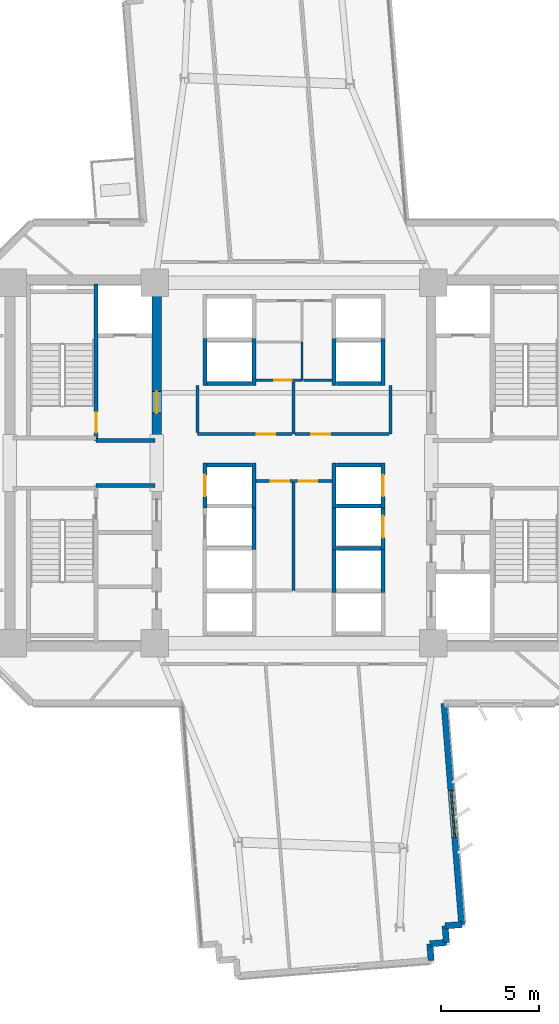
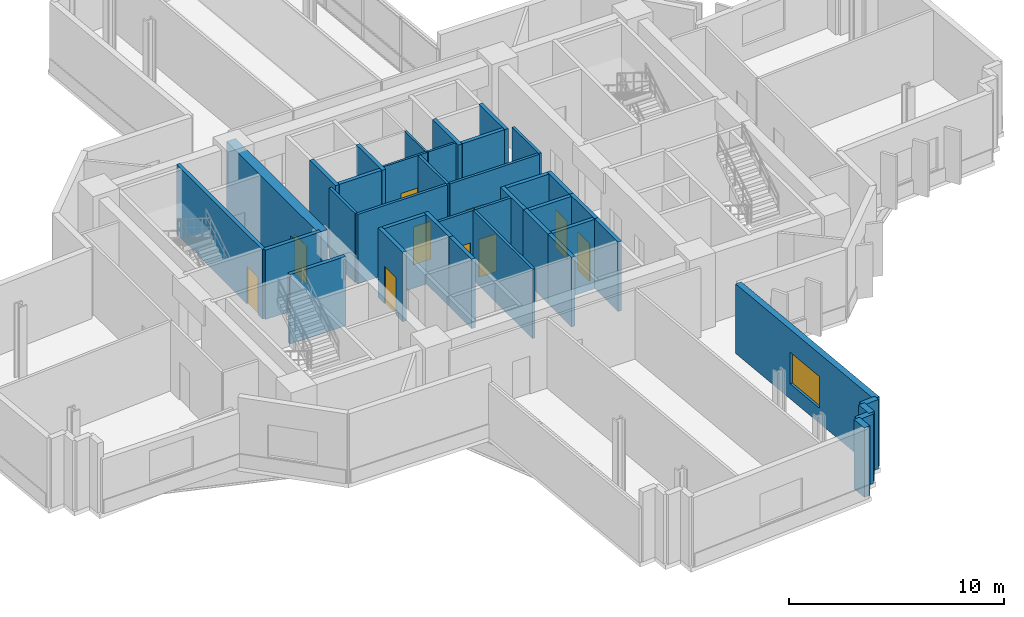
# One storey, part 7 of 15: 39 walls, 10 doors, 1 window, 11 openings.
"""IFC4 building model written with IfcOpenShell, lengths in metres."""

from ifc_helpers import new_model, si_unit, direction, frame, frame_2d, origin, place, context, subcontext, project, spatial, rectangle, extrude, source, transform, mapped, material, layer, layer_set, type_object, element, fill, save


model = new_model("IFC4")

# Units and contexts
model_context = context("Model", 3, precision=1e-05, world=origin(), true_north=direction((0.0, 1.0)))
body_context = subcontext(model_context, "Body", "Model", "MODEL_VIEW")
ifc_project = project(units=[si_unit("LENGTHUNIT", "METRE"), si_unit("AREAUNIT", "SQUARE_METRE"), si_unit("VOLUMEUNIT", "CUBIC_METRE"), si_unit("PLANEANGLEUNIT", "RADIAN"), si_unit("MASSUNIT", "GRAM", prefix="KILO")], contexts=[model_context])

# Site, building, storey
site_placement = place(None, origin())
site = spatial("IfcSite", under=ifc_project, at=site_placement, CompositionType="ELEMENT")
building_placement = place(site_placement, origin())
building = spatial("IfcBuilding", under=site, at=building_placement, Name="Zahravan Cultural Tower", CompositionType="ELEMENT")
storey_placement = place(building_placement, frame((0.0, 0.0, 87.89990234375)))
storey = spatial("IfcBuildingStorey", under=building, at=storey_placement, Name="L19", CompositionType="ELEMENT", Elevation=87.89990234375)

# Wall, opening, door
ifc_material_1 = material(Name="Concrete C60/75", Category="concrete")
ifc_layer_1 = layer(ifc_material_1, 0.5)
ifc_layer_set_1 = layer_set([ifc_layer_1], Name="Concrete C60/75")
wall_type_1 = type_object("IfcWallType", Name="CW-SHEAR-500-C60", PredefinedType="SHEAR", material=ifc_layer_set_1)
wall_1_placement = place(storey_placement, frame((29.0, 28.050048828125, 0.0), z_axis=(0.0, 0.0, 1.0), x_axis=(0.0, 1.0, 0.0)))
wall_1 = element("IfcWall", 1, at=wall_1_placement, inside=storey, type_object=wall_type_1, Name="L19 Core Shear Wall CW-W-EN-L19", PredefinedType="SHEAR", context=body_context, shape_type="SweptSolid", body=[
    extrude(rectangle(XDim=8.550048828125, YDim=0.5, at=frame_2d((4.27490234375, 0.0))), origin(), (0.0, 0.0, 1.0), 3.9501953125),
])
opening_1_placement = place(wall_1_placement, frame((1.5, 0.0, 0.0)))
opening_1 = element("IfcOpeningElement", 2, at=opening_1_placement, cuts=wall_1, Name="Opening D-L19-05", PredefinedType="OPENING", context=body_context, shape_type="SweptSolid", body=[
    extrude(rectangle(XDim=1.10009765625, YDim=2.199951171875, at=frame_2d((0.550048828125, 1.10009765625))), frame((0.0, 0.260009765625, 0.0), z_axis=(0.0, -1.0, 0.0), x_axis=(1.0, 0.0, 0.0)), (0.0, 0.0, 1.0), 0.52001953125),
])
ifc_material_2 = material(Name="Steel ASTM A572 Grade 50", Category="steel")
door_type_1 = type_object("IfcDoorType", Name="DR-LOBBY-1100", OperationType="NOTDEFINED", PredefinedType="DOOR", material=ifc_material_2)
shared_shape_1 = source(origin(), body_context, "Body", "SweptSolid", [
    extrude(rectangle(XDim=1.10009765625, YDim=2.199951171875, at=frame_2d((0.550048828125, 1.10009765625))), frame((0.0, 0.02490234375, 0.0), z_axis=(0.0, -1.0, 0.0), x_axis=(1.0, 0.0, 0.0)), (0.0, 0.0, 1.0), 0.050048828125),
])
door_1_placement = place(opening_1_placement, origin())
door_1 = element("IfcDoor", 3, at=door_1_placement, inside=storey, type_object=door_type_1, Name="L19 Door D-L19-05", OperationType="SINGLE_SWING_LEFT", OverallHeight=2.199951171875, OverallWidth=1.10009765625, PredefinedType="DOOR", context=body_context, shape_type="MappedRepresentation", body=[
    mapped(shared_shape_1, transform((0.0, 0.0, 0.0), x_axis=(1.0, 0.0, 0.0), y_axis=(0.0, 1.0, 0.0), z_axis=(0.0, 0.0, 1.0), scale=1.0)),
])
fill(opening_1, door_1)

# Wall, opening, window
ifc_material_3 = material(Name="Precast concrete C40/50", Category="concrete")
ifc_layer_2 = layer(ifc_material_3, 0.320068359375)
ifc_layer_set_2 = layer_set([ifc_layer_2], Name="Precast concrete C40/50")
wall_type_2 = type_object("IfcWallType", Name="EW-TC-320", PredefinedType="SOLIDWALL", material=ifc_layer_set_2)
wall_2_placement = place(storey_placement, frame((43.658935546875, 14.739990234375, 0.0), z_axis=(0.0, 0.0, 1.0), x_axis=(0.079512268319, -0.996833887459, 0.0)))
wall_2 = element("IfcWall", 4, at=wall_2_placement, inside=storey, type_object=wall_type_2, Name="L19 Exterior Masonry Frame Wall 15", PredefinedType="SOLIDWALL", context=body_context, shape_type="SweptSolid", body=[
    extrude(rectangle(XDim=11.330078125, YDim=0.320068359375, at=frame_2d((5.6650390625, 0.0))), origin(), (0.0, 0.0, 1.0), 3.9501953125),
])
opening_2_placement = place(wall_2_placement, frame((4.465087890625, 0.0, 0.85009765625)))
opening_2 = element("IfcOpeningElement", 5, at=opening_2_placement, cuts=wall_2, Name="Opening WN-01", PredefinedType="OPENING", context=body_context, shape_type="SweptSolid", body=[
    extrude(rectangle(XDim=2.39990234375, YDim=1.800048828125, at=frame_2d((1.199951171875, 0.89990234375))), frame((0.0, 0.169921875, 0.0), z_axis=(0.0, -1.0, 0.0), x_axis=(1.0, 0.0, 0.0)), (0.0, 0.0, 1.0), 0.340087890625),
])
ifc_material_4 = material(Name="Low-E solar-control double glazing", Category="glass")
window_type = type_object("IfcWindowType", Name="WN-REC-2400X1800", PartitioningType="DOUBLE_PANEL_VERTICAL", PredefinedType="WINDOW", material=ifc_material_4)
shared_shape_2 = source(origin(), body_context, "Body", "SweptSolid", [
    extrude(rectangle(XDim=2.39990234375, YDim=1.800048828125, at=frame_2d((1.199951171875, 0.89990234375))), frame((0.0, 0.030029296875, 0.0), z_axis=(0.0, -1.0, 0.0), x_axis=(1.0, 0.0, 0.0)), (0.0, 0.0, 1.0), 0.06005859375),
])
window_placement = place(opening_2_placement, origin())
window = element("IfcWindow", 6, at=window_placement, inside=storey, type_object=window_type, Name="L19 Recessed Solar Window 05", OverallHeight=1.800048828125, OverallWidth=2.39990234375, PartitioningType="DOUBLE_PANEL_VERTICAL", PredefinedType="WINDOW", context=body_context, shape_type="MappedRepresentation", body=[
    mapped(shared_shape_2, transform((0.0, 0.0, 0.0), x_axis=(1.0, 0.0, 0.0), y_axis=(0.0, 1.0, 0.0), z_axis=(0.0, 0.0, 1.0), scale=1.0)),
])
fill(opening_2, window)

# Wall, opening, door
ifc_material_5 = material(Name="Gypsum plasterboard partition")
ifc_layer_3 = layer(ifc_material_5, 0.139892578125)
ifc_layer_set_3 = layer_set([ifc_layer_3], Name="Gypsum plasterboard partition")
wall_type_3 = type_object("IfcWallType", Name="W-PART-140", PredefinedType="PARTITIONING", material=ifc_layer_set_3)
wall_3_placement = place(storey_placement, frame((34.054931640625, 26.080078125, 0.0), z_axis=(0.0, 0.0, 1.0), x_axis=(1.0, 0.0, 0.0)))
wall_3 = element("IfcWall", 7, at=wall_3_placement, inside=storey, type_object=wall_type_3, Name="L19 Interior Wall 075", PredefinedType="PARTITIONING", context=body_context, shape_type="SweptSolid", body=[
    extrude(rectangle(XDim=1.9150390625, YDim=0.139892578125, at=frame_2d((0.95751953125, 0.0))), origin(), (0.0, 0.0, 1.0), 3.9501953125),
])
opening_3_placement = place(wall_3_placement, frame((0.752685546875, 0.0, 0.0)))
opening_3 = element("IfcOpeningElement", 8, at=opening_3_placement, cuts=wall_3, Name="Opening D-L19-15", PredefinedType="OPENING", context=body_context, shape_type="SweptSolid", body=[
    extrude(rectangle(XDim=0.949951171875, YDim=2.14990234375, at=frame_2d((0.47509765625, 1.074951171875))), frame((0.0, 0.079833984375, 0.0), z_axis=(0.0, -1.0, 0.0), x_axis=(1.0, 0.0, 0.0)), (0.0, 0.0, 1.0), 0.159912109375),
])
ifc_material_6 = material(Name="Anodised bronze-aluminium mullion", Category="aluminium")
door_type_2 = type_object("IfcDoorType", Name="DR-ROOM-950", OperationType="NOTDEFINED", PredefinedType="DOOR", material=ifc_material_6)
shared_shape_3 = source(origin(), body_context, "Body", "SweptSolid", [
    extrude(rectangle(XDim=0.949951171875, YDim=2.14990234375, at=frame_2d((0.47509765625, 1.074951171875))), frame((0.0, 0.02490234375, 0.0), z_axis=(0.0, -1.0, 0.0), x_axis=(1.0, 0.0, 0.0)), (0.0, 0.0, 1.0), 0.050048828125),
])
door_2_placement = place(opening_3_placement, origin())
door_2 = element("IfcDoor", 9, at=door_2_placement, inside=storey, type_object=door_type_2, Name="L19 Door D-L19-15", OperationType="SINGLE_SWING_LEFT", OverallHeight=2.14990234375, OverallWidth=0.949951171875, PredefinedType="DOOR", context=body_context, shape_type="MappedRepresentation", body=[
    mapped(shared_shape_3, transform((0.0, 0.0, 0.0), x_axis=(1.0, 0.0, 0.0), y_axis=(0.0, 1.0, 0.0), z_axis=(0.0, 0.0, 1.0), scale=1.0)),
])
fill(opening_3, door_2)

wall_4_placement = place(storey_placement, frame((36.030029296875, 26.080078125, 0.0), z_axis=(0.0, 0.0, 1.0), x_axis=(1.0, 0.0, 0.0)))
wall_4 = element("IfcWall", 10, at=wall_4_placement, inside=storey, type_object=wall_type_3, Name="L19 Interior Wall 078", PredefinedType="PARTITIONING", context=body_context, shape_type="SweptSolid", body=[
    extrude(rectangle(XDim=1.9150390625, YDim=0.139892578125, at=frame_2d((0.95751953125, 0.0))), origin(), (0.0, 0.0, 1.0), 3.9501953125),
])
opening_4_placement = place(wall_4_placement, frame((0.21240234375, 0.0, 0.0)))
opening_4 = element("IfcOpeningElement", 11, at=opening_4_placement, cuts=wall_4, Name="Opening D-L19-16", PredefinedType="OPENING", context=body_context, shape_type="SweptSolid", body=[
    extrude(rectangle(XDim=0.949951171875, YDim=2.14990234375, at=frame_2d((0.47509765625, 1.074951171875))), frame((0.0, 0.079833984375, 0.0), z_axis=(0.0, -1.0, 0.0), x_axis=(1.0, 0.0, 0.0)), (0.0, 0.0, 1.0), 0.159912109375),
])
door_3_placement = place(opening_4_placement, origin())
door_3 = element("IfcDoor", 12, at=door_3_placement, inside=storey, type_object=door_type_2, Name="L19 Door D-L19-16", OperationType="SINGLE_SWING_RIGHT", OverallHeight=2.14990234375, OverallWidth=0.949951171875, PredefinedType="DOOR", context=body_context, shape_type="MappedRepresentation", body=[
    mapped(shared_shape_3, transform((0.0, 0.0, 0.0), x_axis=(1.0, 0.0, 0.0), y_axis=(0.0, 1.0, 0.0), z_axis=(0.0, 0.0, 1.0), scale=1.0)),
])
fill(opening_4, door_3)

wall_5_placement = place(storey_placement, frame((35.89501953125, 28.47998046875, 0.0), z_axis=(0.0, 0.0, 1.0), x_axis=(-1.0, 0.0, 0.0)))
wall_5 = element("IfcWall", 13, at=wall_5_placement, inside=storey, type_object=wall_type_3, Name="L19 Interior Wall 081", PredefinedType="PARTITIONING", context=body_context, shape_type="SweptSolid", body=[
    extrude(rectangle(XDim=4.81494140625, YDim=0.139892578125, at=frame_2d((2.407470703125, 0.0))), origin(), (0.0, 0.0, 1.0), 3.9501953125),
])
opening_5_placement = place(wall_5_placement, frame((0.850341796875, 0.0, 0.0)))
opening_5 = element("IfcOpeningElement", 14, at=opening_5_placement, cuts=wall_5, Name="Opening D-L19-17", PredefinedType="OPENING", context=body_context, shape_type="SweptSolid", body=[
    extrude(rectangle(XDim=0.949951171875, YDim=2.14990234375, at=frame_2d((0.47509765625, 1.074951171875))), frame((0.0, 0.079833984375, 0.0), z_axis=(0.0, -1.0, 0.0), x_axis=(1.0, 0.0, 0.0)), (0.0, 0.0, 1.0), 0.159912109375),
])
door_4_placement = place(opening_5_placement, origin())
door_4 = element("IfcDoor", 15, at=door_4_placement, inside=storey, type_object=door_type_2, Name="L19 Door D-L19-17", OperationType="SINGLE_SWING_LEFT", OverallHeight=2.14990234375, OverallWidth=0.949951171875, PredefinedType="DOOR", context=body_context, shape_type="MappedRepresentation", body=[
    mapped(shared_shape_3, transform((0.0, 0.0, 0.0), x_axis=(1.0, 0.0, 0.0), y_axis=(0.0, 1.0, 0.0), z_axis=(0.0, 0.0, 1.0), scale=1.0)),
])
fill(opening_5, door_4)

wall_6_placement = place(storey_placement, frame((40.844970703125, 28.47998046875, 0.0), z_axis=(0.0, 0.0, 1.0), x_axis=(-1.0, 0.0, 0.0)))
wall_6 = element("IfcWall", 16, at=wall_6_placement, inside=storey, type_object=wall_type_3, Name="L19 Interior Wall 084", PredefinedType="PARTITIONING", context=body_context, shape_type="SweptSolid", body=[
    extrude(rectangle(XDim=4.800048828125, YDim=0.139892578125, at=frame_2d((2.39990234375, 0.0))), origin(), (0.0, 0.0, 1.0), 3.9501953125),
])
opening_6_placement = place(wall_6_placement, frame((3.0029296875, 0.0, 0.0)))
opening_6 = element("IfcOpeningElement", 17, at=opening_6_placement, cuts=wall_6, Name="Opening D-L19-18", PredefinedType="OPENING", context=body_context, shape_type="SweptSolid", body=[
    extrude(rectangle(XDim=0.949951171875, YDim=2.14990234375, at=frame_2d((0.47509765625, 1.074951171875))), frame((0.0, 0.079833984375, 0.0), z_axis=(0.0, -1.0, 0.0), x_axis=(1.0, 0.0, 0.0)), (0.0, 0.0, 1.0), 0.159912109375),
])
door_5_placement = place(opening_6_placement, origin())
door_5 = element("IfcDoor", 18, at=door_5_placement, inside=storey, type_object=door_type_2, Name="L19 Door D-L19-18", OperationType="SINGLE_SWING_RIGHT", OverallHeight=2.14990234375, OverallWidth=0.949951171875, PredefinedType="DOOR", context=body_context, shape_type="MappedRepresentation", body=[
    mapped(shared_shape_3, transform((0.0, 0.0, 0.0), x_axis=(1.0, 0.0, 0.0), y_axis=(0.0, 1.0, 0.0), z_axis=(0.0, 0.0, 1.0), scale=1.0)),
])
fill(opening_6, door_5)

ifc_material_7 = material(Name="Concrete C45/55", Category="concrete")
ifc_layer_4 = layer(ifc_material_7, 0.199951171875)
ifc_layer_set_4 = layer_set([ifc_layer_4], Name="Concrete C45/55")
wall_type_4 = type_object("IfcWallType", Name="W-SHAFT-200", PredefinedType="SOLIDWALL", material=ifc_layer_set_4)
wall_7_placement = place(storey_placement, frame((25.89990234375, 28.14990234375, 0.0), z_axis=(0.0, 0.0, 1.0), x_axis=(0.0, 1.0, 0.0)))
wall_7 = element("IfcWall", 19, at=wall_7_placement, inside=storey, type_object=wall_type_4, Name="L19 Interior Wall 006", PredefinedType="SOLIDWALL", context=body_context, shape_type="SweptSolid", body=[
    extrude(rectangle(XDim=8.0, YDim=0.199951171875, at=frame_2d((4.0, 0.0))), origin(), (0.0, 0.0, 1.0), 3.9501953125),
])
opening_7_placement = place(wall_7_placement, frame((0.39990234375, 0.0, 0.0)))
opening_7 = element("IfcOpeningElement", 20, at=opening_7_placement, cuts=wall_7, Name="Opening D-L19-01", PredefinedType="OPENING", context=body_context, shape_type="SweptSolid", body=[
    extrude(rectangle(XDim=1.050048828125, YDim=2.14990234375, at=frame_2d((0.52490234375, 1.074951171875))), frame((0.0, 0.10986328125, 0.0), z_axis=(0.0, -1.0, 0.0), x_axis=(1.0, 0.0, 0.0)), (0.0, 0.0, 1.0), 0.219970703125),
])
door_type_3 = type_object("IfcDoorType", Name="DR-STAIR-1050", OperationType="NOTDEFINED", PredefinedType="DOOR", material=ifc_material_2)
shared_shape_4 = source(origin(), body_context, "Body", "SweptSolid", [
    extrude(rectangle(XDim=1.050048828125, YDim=2.14990234375, at=frame_2d((0.52490234375, 1.074951171875))), frame((0.0, 0.02490234375, 0.0), z_axis=(0.0, -1.0, 0.0), x_axis=(1.0, 0.0, 0.0)), (0.0, 0.0, 1.0), 0.050048828125),
])
door_6_placement = place(opening_7_placement, origin())
door_6 = element("IfcDoor", 21, at=door_6_placement, inside=storey, type_object=door_type_3, Name="L19 Door D-L19-01", OperationType="SINGLE_SWING_LEFT", OverallHeight=2.14990234375, OverallWidth=1.050048828125, PredefinedType="DOOR", context=body_context, shape_type="MappedRepresentation", body=[
    mapped(shared_shape_4, transform((0.0, 0.0, 0.0), x_axis=(1.0, 0.0, 0.0), y_axis=(0.0, 1.0, 0.0), z_axis=(0.0, 0.0, 1.0), scale=1.0)),
])
fill(opening_7, door_6)

wall_8_placement = place(storey_placement, frame((31.449951171875, 24.699951171875, 0.0), z_axis=(0.0, 0.0, 1.0), x_axis=(0.0, 1.0, 0.0)))
wall_8 = element("IfcWall", 22, at=wall_8_placement, inside=storey, type_object=wall_type_4, Name="L19 Interior Wall 056", PredefinedType="SOLIDWALL", context=body_context, shape_type="SweptSolid", body=[
    extrude(rectangle(XDim=2.300048828125, YDim=0.199951171875, at=frame_2d((1.14990234375, 0.0))), origin(), (0.0, 0.0, 1.0), 3.9501953125),
])
opening_8_placement = place(wall_8_placement, frame((0.60009765625, 0.0, 0.0)))
opening_8 = element("IfcOpeningElement", 23, at=opening_8_placement, cuts=wall_8, Name="Opening LD-L19-04", PredefinedType="OPENING", context=body_context, shape_type="SweptSolid", body=[
    extrude(rectangle(XDim=1.10009765625, YDim=2.14990234375, at=frame_2d((0.550048828125, 1.074951171875))), frame((0.0, 0.10986328125, 0.0), z_axis=(0.0, -1.0, 0.0), x_axis=(1.0, 0.0, 0.0)), (0.0, 0.0, 1.0), 0.219970703125),
])
door_type_4 = type_object("IfcDoorType", Name="DR-LIFT-1100", OperationType="DOUBLE_DOOR_SLIDING", PredefinedType="DOOR", material=ifc_material_2)
shared_shape_5 = source(origin(), body_context, "Body", "SweptSolid", [
    extrude(rectangle(XDim=1.10009765625, YDim=2.14990234375, at=frame_2d((0.550048828125, 1.074951171875))), frame((0.0, 0.02490234375, 0.0), z_axis=(0.0, -1.0, 0.0), x_axis=(1.0, 0.0, 0.0)), (0.0, 0.0, 1.0), 0.050048828125),
])
door_7_placement = place(opening_8_placement, origin())
door_7 = element("IfcDoor", 24, at=door_7_placement, inside=storey, type_object=door_type_4, Name="L19 Door LD-L19-04", OperationType="DOUBLE_DOOR_SLIDING", OverallHeight=2.14990234375, OverallWidth=1.10009765625, PredefinedType="DOOR", context=body_context, shape_type="MappedRepresentation", body=[
    mapped(shared_shape_5, transform((0.0, 0.0, 0.0), x_axis=(1.0, 0.0, 0.0), y_axis=(0.0, 1.0, 0.0), z_axis=(0.0, 0.0, 1.0), scale=1.0)),
])
fill(opening_8, door_7)

wall_9_placement = place(storey_placement, frame((40.550048828125, 24.699951171875, 0.0), z_axis=(0.0, 0.0, 1.0), x_axis=(0.0, 1.0, 0.0)))
wall_9 = element("IfcWall", 25, at=wall_9_placement, inside=storey, type_object=wall_type_4, Name="L19 Interior Wall 063", PredefinedType="SOLIDWALL", context=body_context, shape_type="SweptSolid", body=[
    extrude(rectangle(XDim=2.300048828125, YDim=0.199951171875, at=frame_2d((1.14990234375, 0.0))), origin(), (0.0, 0.0, 1.0), 3.9501953125),
])
opening_9_placement = place(wall_9_placement, frame((0.60009765625, 0.0, 0.0)))
opening_9 = element("IfcOpeningElement", 26, at=opening_9_placement, cuts=wall_9, Name="Opening LD-L19-06", PredefinedType="OPENING", context=body_context, shape_type="SweptSolid", body=[
    extrude(rectangle(XDim=1.10009765625, YDim=2.14990234375, at=frame_2d((0.550048828125, 1.074951171875))), frame((0.0, 0.10986328125, 0.0), z_axis=(0.0, -1.0, 0.0), x_axis=(1.0, 0.0, 0.0)), (0.0, 0.0, 1.0), 0.219970703125),
])
door_8_placement = place(opening_9_placement, origin())
door_8 = element("IfcDoor", 27, at=door_8_placement, inside=storey, type_object=door_type_4, Name="L19 Door LD-L19-06", OperationType="DOUBLE_DOOR_SLIDING", OverallHeight=2.14990234375, OverallWidth=1.10009765625, PredefinedType="DOOR", context=body_context, shape_type="MappedRepresentation", body=[
    mapped(shared_shape_5, transform((0.0, 0.0, 0.0), x_axis=(1.0, 0.0, 0.0), y_axis=(0.0, 1.0, 0.0), z_axis=(0.0, 0.0, 1.0), scale=1.0)),
])
fill(opening_9, door_8)

wall_10_placement = place(storey_placement, frame((40.550048828125, 22.60009765625, 0.0), z_axis=(0.0, 0.0, 1.0), x_axis=(0.0, 1.0, 0.0)))
wall_10 = element("IfcWall", 28, at=wall_10_placement, inside=storey, type_object=wall_type_4, Name="L19 Interior Wall 067", PredefinedType="SOLIDWALL", context=body_context, shape_type="SweptSolid", body=[
    extrude(rectangle(XDim=2.2998046875, YDim=0.199951171875, at=frame_2d((1.14990234375, 0.0))), origin(), (0.0, 0.0, 1.0), 3.9501953125),
])
opening_10_placement = place(wall_10_placement, frame((0.60009765625, 0.0, 0.0)))
opening_10 = element("IfcOpeningElement", 29, at=opening_10_placement, cuts=wall_10, Name="Opening LD-L19-07", PredefinedType="OPENING", context=body_context, shape_type="SweptSolid", body=[
    extrude(rectangle(XDim=1.10009765625, YDim=2.14990234375, at=frame_2d((0.550048828125, 1.074951171875))), frame((0.0, 0.10986328125, 0.0), z_axis=(0.0, -1.0, 0.0), x_axis=(1.0, 0.0, 0.0)), (0.0, 0.0, 1.0), 0.219970703125),
])
door_9_placement = place(opening_10_placement, origin())
door_9 = element("IfcDoor", 30, at=door_9_placement, inside=storey, type_object=door_type_4, Name="L19 Door LD-L19-07", OperationType="DOUBLE_DOOR_SLIDING", OverallHeight=2.14990234375, OverallWidth=1.10009765625, PredefinedType="DOOR", context=body_context, shape_type="MappedRepresentation", body=[
    mapped(shared_shape_5, transform((0.0, 0.0, 0.0), x_axis=(1.0, 0.0, 0.0), y_axis=(0.0, 1.0, 0.0), z_axis=(0.0, 0.0, 1.0), scale=1.0)),
])
fill(opening_10, door_9)

ifc_layer_5 = layer(ifc_material_5, 0.114990234375)
ifc_layer_set_5 = layer_set([ifc_layer_5], Name="Gypsum plasterboard partition")
wall_type_5 = type_object("IfcWallType", Name="W-WC-115", PredefinedType="PARTITIONING", material=ifc_layer_set_5)
wall_11_placement = place(storey_placement, frame((36.409912109375, 31.219970703125, 0.0), z_axis=(0.0, 0.0, 1.0), x_axis=(-1.0, 0.0, 0.0)))
wall_11 = element("IfcWall", 31, at=wall_11_placement, inside=storey, type_object=wall_type_5, Name="L19 Interior Wall 068", PredefinedType="PARTITIONING", context=body_context, shape_type="SweptSolid", body=[
    extrude(rectangle(XDim=2.35498046875, YDim=0.114990234375, at=frame_2d((1.177490234375, 0.0))), origin(), (0.0, 0.0, 1.0), 3.9501953125),
])
opening_11_placement = place(wall_11_placement, frame((0.5166015625, 0.0, 0.0)))
opening_11 = element("IfcOpeningElement", 32, at=opening_11_placement, cuts=wall_11, Name="Opening D-L19-29", PredefinedType="OPENING", context=body_context, shape_type="SweptSolid", body=[
    extrude(rectangle(XDim=0.89990234375, YDim=2.10009765625, at=frame_2d((0.449951171875, 1.050048828125))), frame((0.0, 0.0673828125, 0.0), z_axis=(0.0, -1.0, 0.0), x_axis=(1.0, 0.0, 0.0)), (0.0, 0.0, 1.0), 0.135009765625),
])
door_type_5 = type_object("IfcDoorType", Name="DR-WC-900", OperationType="NOTDEFINED", PredefinedType="DOOR", material=ifc_material_6)
shared_shape_6 = source(origin(), body_context, "Body", "SweptSolid", [
    extrude(rectangle(XDim=0.89990234375, YDim=2.10009765625, at=frame_2d((0.449951171875, 1.050048828125))), frame((0.0, 0.02490234375, 0.0), z_axis=(0.0, -1.0, 0.0), x_axis=(1.0, 0.0, 0.0)), (0.0, 0.0, 1.0), 0.050048828125),
])
door_10_placement = place(opening_11_placement, origin())
door_10 = element("IfcDoor", 33, at=door_10_placement, inside=storey, type_object=door_type_5, Name="L19 Door D-L19-29", OperationType="SINGLE_SWING_LEFT", OverallHeight=2.10009765625, OverallWidth=0.89990234375, PredefinedType="DOOR", context=body_context, shape_type="MappedRepresentation", body=[
    mapped(shared_shape_6, transform((0.0, 0.0, 0.0), x_axis=(1.0, 0.0, 0.0), y_axis=(0.0, 1.0, 0.0), z_axis=(0.0, 0.0, 1.0), scale=1.0)),
])
fill(opening_11, door_10)

# Walls
shared_shape_7 = source(origin(), body_context, "Body", "SweptSolid", [
    extrude(rectangle(XDim=0.85009765625, YDim=0.320068359375, at=frame_2d((0.425048828125, 0.0))), origin(), (0.0, 0.0, 1.0), 3.9501953125),
])
for number, where, z_axis, x_axis, name in (
    (34, (44.559814453125, 3.44580078125, 0.0), (0.0, 0.0, 1.0), (-0.99685351678, -0.079265793901, 0.0), "L19 Exterior Masonry Frame Wall 16"),
    (35, (43.71240234375, 3.37841796875, 0.0), (0.0, 0.0, 1.0), (0.079551174585, -0.996830783344, 0.0), "L19 Exterior Masonry Frame Wall 17"),
    (36, (43.780029296875, 2.531005859375, 0.0), (0.0, 0.0, 1.0), (-0.996830783344, -0.079551174585, 0.0), "L19 Exterior Masonry Frame Wall 18"),
):
    element("IfcWall", number, at=place(storey_placement, frame(where, z_axis=z_axis, x_axis=x_axis)), inside=storey, type_object=wall_type_2, Name=name, PredefinedType="SOLIDWALL", context=body_context, shape_type="MappedRepresentation", body=[
        mapped(shared_shape_7, transform((0.0, 0.0, 0.0), x_axis=(1.0, 0.0, 0.0), y_axis=(0.0, 1.0, 0.0), z_axis=(0.0, 0.0, 1.0), scale=1.0)),
    ])
shared_shape_8 = source(origin(), body_context, "Body", "SweptSolid", [
    extrude(rectangle(XDim=0.849853515625, YDim=0.320068359375, at=frame_2d((0.4248046875, 0.0))), origin(), (0.0, 0.0, 1.0), 3.9501953125),
])
wall_12_placement = place(storey_placement, frame((42.9326171875, 2.46337890625, 0.0), z_axis=(0.0, 0.0, 1.0), x_axis=(0.079573954853, -0.996828965123, 0.0)))
element("IfcWall", 37, at=wall_12_placement, inside=storey, type_object=wall_type_2, Name="L19 Exterior Masonry Frame Wall 19", PredefinedType="SOLIDWALL", context=body_context, shape_type="MappedRepresentation", body=[
    mapped(shared_shape_8, transform((0.0, 0.0, 0.0), x_axis=(1.0, 0.0, 0.0), y_axis=(0.0, 1.0, 0.0), z_axis=(0.0, 0.0, 1.0), scale=1.0)),
])
shared_shape_9 = source(origin(), body_context, "Body", "SweptSolid", [
    extrude(rectangle(XDim=3.0, YDim=0.199951171875, at=frame_2d((1.5, 0.0))), origin(), (0.0, 0.0, 1.0), 3.9501953125),
])
for number, where, z_axis, x_axis, name in (
    (38, (25.89990234375, 25.85009765625, 0.0), (0.0, 0.0, 1.0), (1.0, 0.0, 0.0), "L19 Interior Wall 010"),
    (39, (25.89990234375, 28.14990234375, 0.0), (0.0, 0.0, 1.0), (1.0, 0.0, 0.0), "L19 Interior Wall 012"),
):
    element("IfcWall", number, at=place(storey_placement, frame(where, z_axis=z_axis, x_axis=x_axis)), inside=storey, type_object=wall_type_4, Name=name, PredefinedType="SOLIDWALL", context=body_context, shape_type="MappedRepresentation", body=[
        mapped(shared_shape_9, transform((0.0, 0.0, 0.0), x_axis=(1.0, 0.0, 0.0), y_axis=(0.0, 1.0, 0.0), z_axis=(0.0, 0.0, 1.0), scale=1.0)),
    ])
shared_shape_10 = source(origin(), body_context, "Body", "SweptSolid", [
    extrude(rectangle(XDim=2.400146484375, YDim=0.199951171875, at=frame_2d((1.2001953125, 0.0))), origin(), (0.0, 0.0, 1.0), 3.9501953125),
])
for number, where, z_axis, x_axis, name in (
    (40, (31.449951171875, 30.949951171875, 0.0), (0.0, 0.0, 1.0), (0.0, 1.0, 0.0), "L19 Interior Wall 032"),
    (41, (33.949951171875, 30.949951171875, 0.0), (0.0, 0.0, 1.0), (0.0, 1.0, 0.0), "L19 Interior Wall 033"),
    (42, (38.050048828125, 30.949951171875, 0.0), (0.0, 0.0, 1.0), (0.0, 1.0, 0.0), "L19 Interior Wall 039"),
    (43, (40.550048828125, 30.949951171875, 0.0), (0.0, 0.0, 1.0), (0.0, 1.0, 0.0), "L19 Interior Wall 040"),
):
    element("IfcWall", number, at=place(storey_placement, frame(where, z_axis=z_axis, x_axis=x_axis)), inside=storey, type_object=wall_type_4, Name=name, PredefinedType="SOLIDWALL", context=body_context, shape_type="MappedRepresentation", body=[
        mapped(shared_shape_10, transform((0.0, 0.0, 0.0), x_axis=(1.0, 0.0, 0.0), y_axis=(0.0, 1.0, 0.0), z_axis=(0.0, 0.0, 1.0), scale=1.0)),
    ])
shared_shape_11 = source(origin(), body_context, "Body", "SweptSolid", [
    extrude(rectangle(XDim=2.260009765625, YDim=0.199951171875, at=frame_2d((1.1298828125, 0.0))), origin(), (0.0, 0.0, 1.0), 3.9501953125),
])
for number, where, z_axis, x_axis, name in (
    (44, (31.570068359375, 31.050048828125, 0.0), (0.0, 0.0, 1.0), (1.0, 0.0, 0.0), "L19 Interior Wall 034"),
    (45, (38.169921875, 31.050048828125, 0.0), (0.0, 0.0, 1.0), (1.0, 0.0, 0.0), "L19 Interior Wall 041"),
    (46, (38.169921875, 22.64990234375, 0.0), (0.0, 0.0, 1.0), (1.0, 0.0, 0.0), "L19 Interior Wall 052"),
    (47, (31.570068359375, 26.89990234375, 0.0), (0.0, 0.0, 1.0), (1.0, 0.0, 0.0), "L19 Interior Wall 059"),
    (48, (38.169921875, 24.800048828125, 0.0), (0.0, 0.0, 1.0), (1.0, 0.0, 0.0), "L19 Interior Wall 064"),
    (49, (38.169921875, 26.89990234375, 0.0), (0.0, 0.0, 1.0), (1.0, 0.0, 0.0), "L19 Interior Wall 065"),
):
    element("IfcWall", number, at=place(storey_placement, frame(where, z_axis=z_axis, x_axis=x_axis)), inside=storey, type_object=wall_type_4, Name=name, PredefinedType="SOLIDWALL", context=body_context, shape_type="MappedRepresentation", body=[
        mapped(shared_shape_11, transform((0.0, 0.0, 0.0), x_axis=(1.0, 0.0, 0.0), y_axis=(0.0, 1.0, 0.0), z_axis=(0.0, 0.0, 1.0), scale=1.0)),
    ])
shared_shape_12 = source(origin(), body_context, "Body", "SweptSolid", [
    extrude(rectangle(XDim=2.35009765625, YDim=0.199951171875, at=frame_2d((1.175048828125, 0.0))), origin(), (0.0, 0.0, 1.0), 3.9501953125),
])
for number, where, z_axis, x_axis, name in (
    (50, (38.050048828125, 20.39990234375, 0.0), (0.0, 0.0, 1.0), (0.0, 1.0, 0.0), "L19 Interior Wall 049"),
    (51, (40.550048828125, 20.39990234375, 0.0), (0.0, 0.0, 1.0), (0.0, 1.0, 0.0), "L19 Interior Wall 050"),
):
    element("IfcWall", number, at=place(storey_placement, frame(where, z_axis=z_axis, x_axis=x_axis)), inside=storey, type_object=wall_type_4, Name=name, PredefinedType="SOLIDWALL", context=body_context, shape_type="MappedRepresentation", body=[
        mapped(shared_shape_12, transform((0.0, 0.0, 0.0), x_axis=(1.0, 0.0, 0.0), y_axis=(0.0, 1.0, 0.0), z_axis=(0.0, 0.0, 1.0), scale=1.0)),
    ])
shared_shape_13 = source(origin(), body_context, "Body", "SweptSolid", [
    extrude(rectangle(XDim=2.300048828125, YDim=0.199951171875, at=frame_2d((1.14990234375, 0.0))), origin(), (0.0, 0.0, 1.0), 3.9501953125),
])
for number, where, z_axis, x_axis, name in (
    (52, (33.949951171875, 24.699951171875, 0.0), (0.0, 0.0, 1.0), (0.0, 1.0, 0.0), "L19 Interior Wall 057"),
    (53, (38.050048828125, 24.699951171875, 0.0), (0.0, 0.0, 1.0), (0.0, 1.0, 0.0), "L19 Interior Wall 062"),
):
    element("IfcWall", number, at=place(storey_placement, frame(where, z_axis=z_axis, x_axis=x_axis)), inside=storey, type_object=wall_type_4, Name=name, PredefinedType="SOLIDWALL", context=body_context, shape_type="MappedRepresentation", body=[
        mapped(shared_shape_13, transform((0.0, 0.0, 0.0), x_axis=(1.0, 0.0, 0.0), y_axis=(0.0, 1.0, 0.0), z_axis=(0.0, 0.0, 1.0), scale=1.0)),
    ])
shared_shape_14 = source(origin(), body_context, "Body", "SweptSolid", [
    extrude(rectangle(XDim=2.2998046875, YDim=0.199951171875, at=frame_2d((1.14990234375, 0.0))), origin(), (0.0, 0.0, 1.0), 3.9501953125),
])
for number, where, z_axis, x_axis, name in (
    (54, (33.949951171875, 22.60009765625, 0.0), (0.0, 0.0, 1.0), (0.0, 1.0, 0.0), "L19 Interior Wall 061"),
    (55, (38.050048828125, 22.60009765625, 0.0), (0.0, 0.0, 1.0), (0.0, 1.0, 0.0), "L19 Interior Wall 066"),
):
    element("IfcWall", number, at=place(storey_placement, frame(where, z_axis=z_axis, x_axis=x_axis)), inside=storey, type_object=wall_type_4, Name=name, PredefinedType="SOLIDWALL", context=body_context, shape_type="MappedRepresentation", body=[
        mapped(shared_shape_14, transform((0.0, 0.0, 0.0), x_axis=(1.0, 0.0, 0.0), y_axis=(0.0, 1.0, 0.0), z_axis=(0.0, 0.0, 1.0), scale=1.0)),
    ])
shared_shape_15 = source(origin(), body_context, "Body", "SweptSolid", [
    extrude(rectangle(XDim=1.9599609375, YDim=0.114990234375, at=frame_2d((0.97998046875, 0.0))), origin(), (0.0, 0.0, 1.0), 3.9501953125),
])
wall_13_placement = place(storey_placement, frame((36.409912109375, 33.179931640625, 0.0), z_axis=(0.0, 0.0, 1.0), x_axis=(0.0, -1.0, 0.0)))
element("IfcWall", 56, at=wall_13_placement, inside=storey, type_object=wall_type_5, Name="L19 Interior Wall 070", PredefinedType="PARTITIONING", context=body_context, shape_type="MappedRepresentation", body=[
    mapped(shared_shape_15, transform((0.0, 0.0, 0.0), x_axis=(1.0, 0.0, 0.0), y_axis=(0.0, 1.0, 0.0), z_axis=(0.0, 0.0, 1.0), scale=1.0)),
])
shared_shape_16 = source(origin(), body_context, "Body", "SweptSolid", [
    extrude(rectangle(XDim=1.47265625, YDim=0.114990234375, at=frame_2d((0.736328125, 0.0))), origin(), (0.0, 0.0, 1.0), 3.9501953125),
])
wall_14_placement = place(storey_placement, frame((37.945068359375, 31.219970703125, 0.0), z_axis=(0.0, 0.0, 1.0), x_axis=(-1.0, 0.0, 0.0)))
element("IfcWall", 57, at=wall_14_placement, inside=storey, type_object=wall_type_5, Name="L19 Interior Wall 073", PredefinedType="PARTITIONING", context=body_context, shape_type="MappedRepresentation", body=[
    mapped(shared_shape_16, transform((0.0, 0.0, 0.0), x_axis=(1.0, 0.0, 0.0), y_axis=(0.0, 1.0, 0.0), z_axis=(0.0, 0.0, 1.0), scale=1.0)),
])
shared_shape_17 = source(origin(), body_context, "Body", "SweptSolid", [
    extrude(rectangle(XDim=5.514892578125, YDim=0.139892578125, at=frame_2d((2.75732421875, 0.0))), origin(), (0.0, 0.0, 1.0), 3.9501953125),
])
wall_15_placement = place(storey_placement, frame((35.969970703125, 26.0048828125, 0.0), z_axis=(0.0, 0.0, 1.0), x_axis=(0.0, -1.0, 0.0)))
element("IfcWall", 58, at=wall_15_placement, inside=storey, type_object=wall_type_3, Name="L19 Interior Wall 076", PredefinedType="PARTITIONING", context=body_context, shape_type="MappedRepresentation", body=[
    mapped(shared_shape_17, transform((0.0, 0.0, 0.0), x_axis=(1.0, 0.0, 0.0), y_axis=(0.0, 1.0, 0.0), z_axis=(0.0, 0.0, 1.0), scale=1.0)),
])
shared_shape_18 = source(origin(), body_context, "Body", "SweptSolid", [
    extrude(rectangle(XDim=2.659912109375, YDim=0.139892578125, at=frame_2d((1.330078125, 0.0))), origin(), (0.0, 0.0, 1.0), 3.9501953125),
])
wall_16_placement = place(storey_placement, frame((35.969970703125, 31.139892578125, 0.0), z_axis=(0.0, 0.0, 1.0), x_axis=(0.0, -1.0, 0.0)))
element("IfcWall", 59, at=wall_16_placement, inside=storey, type_object=wall_type_3, Name="L19 Interior Wall 080", PredefinedType="PARTITIONING", context=body_context, shape_type="MappedRepresentation", body=[
    mapped(shared_shape_18, transform((0.0, 0.0, 0.0), x_axis=(1.0, 0.0, 0.0), y_axis=(0.0, 1.0, 0.0), z_axis=(0.0, 0.0, 1.0), scale=1.0)),
])
shared_shape_19 = source(origin(), body_context, "Body", "SweptSolid", [
    extrude(rectangle(XDim=2.39501953125, YDim=0.139892578125, at=frame_2d((1.197509765625, 0.0))), origin(), (0.0, 0.0, 1.0), 3.9501953125),
])
wall_17_placement = place(storey_placement, frame((31.080078125, 28.554931640625, 0.0), z_axis=(0.0, 0.0, 1.0), x_axis=(0.0, 1.0, 0.0)))
element("IfcWall", 60, at=wall_17_placement, inside=storey, type_object=wall_type_3, Name="L19 Interior Wall 082", PredefinedType="PARTITIONING", context=body_context, shape_type="MappedRepresentation", body=[
    mapped(shared_shape_19, transform((0.0, 0.0, 0.0), x_axis=(1.0, 0.0, 0.0), y_axis=(0.0, 1.0, 0.0), z_axis=(0.0, 0.0, 1.0), scale=1.0)),
])
shared_shape_20 = source(origin(), body_context, "Body", "SweptSolid", [
    extrude(rectangle(XDim=2.469970703125, YDim=0.139892578125, at=frame_2d((1.23486328125, 0.0))), origin(), (0.0, 0.0, 1.0), 3.9501953125),
])
wall_18_placement = place(storey_placement, frame((40.919921875, 30.949951171875, 0.0), z_axis=(0.0, 0.0, 1.0), x_axis=(0.0, -1.0, 0.0)))
element("IfcWall", 61, at=wall_18_placement, inside=storey, type_object=wall_type_3, Name="L19 Interior Wall 083", PredefinedType="PARTITIONING", context=body_context, shape_type="MappedRepresentation", body=[
    mapped(shared_shape_20, transform((0.0, 0.0, 0.0), x_axis=(1.0, 0.0, 0.0), y_axis=(0.0, 1.0, 0.0), z_axis=(0.0, 0.0, 1.0), scale=1.0)),
])

save(model, "model.ifc")
